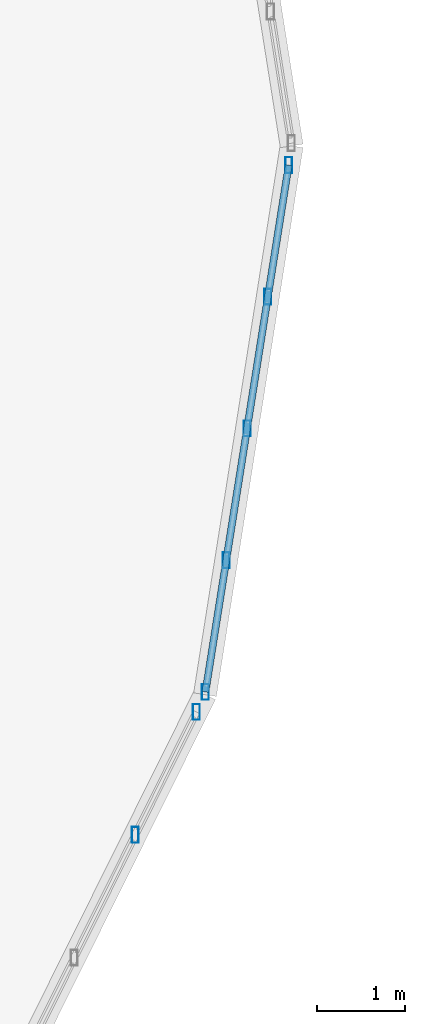
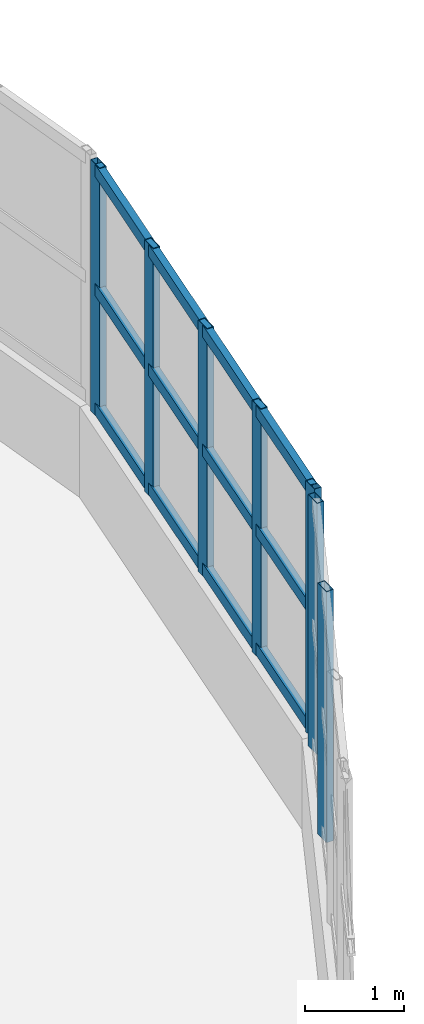
# One storey, part 23 of 50: 10 members, 2 elements without a shape of their own.
"""IFC4 building model written with IfcOpenShell, lengths in metres."""

import ifcopenshell
import ifcopenshell.guid

model = None  # the IFC model being written
_history = None  # IfcOwnerHistory: only IFC2X3 demands one
_inside = {}  # id of a spatial element -> (the spatial element, [elements in it])
_under = {}  # id of a project, library or spatial element -> (it, [spatial elements below it])
_declared = {}  # id of a project -> (the project, [libraries it declares])
_typed = {}  # id of a type object -> (the type object, [elements of that type])
_made_of = {}  # id of a material, layer set ... -> (it, [elements and type objects made of it])


def new_model(schema):
    """Start an empty IFC model of exactly this schema.

    Asked for "IFC4X3", IfcOpenShell would pick the latest addendum, in which some entities
    have other attributes; the version numbers below select the first issue.
    IFC2X3 requires an IfcOwnerHistory on every rooted entity: one is made here for all.
    """
    global model, _history
    if schema == "IFC4X3":
        model = ifcopenshell.file(schema_version=(4, 3, 0, 0))
    else:
        model = ifcopenshell.file(schema=schema)
    _inside.clear()
    _under.clear()
    _declared.clear()
    _typed.clear()
    _made_of.clear()
    _history = None
    if model.schema == "IFC2X3":
        org = make("IfcOrganization", Name="unknown")
        user = make(
            "IfcPersonAndOrganization",
            ThePerson=make("IfcPerson", FamilyName="unknown"),
            TheOrganization=org,
        )
        app = make(
            "IfcApplication",
            ApplicationDeveloper=org,
            Version="unknown",
            ApplicationFullName="unknown",
            ApplicationIdentifier="unknown",
        )
        _history = make(
            "IfcOwnerHistory",
            OwningUser=user,
            OwningApplication=app,
            ChangeAction="ADDED",
            CreationDate=0,
        )
    return model


def make(cls, **values):
    """One entity of the class cls with the attributes given. An attribute that is None is left unset."""
    return model.create_entity(
        cls, **{name: value for name, value in values.items() if value is not None}
    )


def rooted(cls, **values):
    """An entity with a GlobalId (a new one), such as an element, a storey or a relation."""
    return make(cls, GlobalId=ifcopenshell.guid.new(), OwnerHistory=_history, **values)


def si_unit(unit_type, name, prefix=None):
    """IfcSIUnit, for example si_unit("LENGTHUNIT", "METRE", prefix="MILLI")."""
    return make("IfcSIUnit", UnitType=unit_type, Prefix=prefix, Name=name)


def assignment(units):
    """IfcUnitAssignment: the units of a project."""
    return None if units is None else make("IfcUnitAssignment", Units=units)


def point(xyz):
    """IfcCartesianPoint."""
    return None if xyz is None else make("IfcCartesianPoint", Coordinates=xyz)


def direction(xyz):
    """IfcDirection."""
    return None if xyz is None else make("IfcDirection", DirectionRatios=xyz)


def frame(location, z_axis=None, x_axis=None):
    """IfcAxis2Placement3D, a coordinate frame: its origin and axes. An axis left out is left unset."""
    return make(
        "IfcAxis2Placement3D",
        Location=point(location),
        Axis=direction(z_axis),
        RefDirection=direction(x_axis),
    )


def frame_2d(location, x_axis=None):
    """IfcAxis2Placement2D, a coordinate frame in the plane: its origin and x axis."""
    return make(
        "IfcAxis2Placement2D", Location=point(location), RefDirection=direction(x_axis)
    )


def origin():
    """The frame at (0, 0, 0) with its axes left unset."""
    return frame((0.0, 0.0, 0.0))


def origin_2d():
    """The frame at (0, 0) in the plane with its x axis left unset."""
    return frame_2d((0.0, 0.0))


def place(relative_to, where):
    """IfcLocalPlacement: puts the frame where relative to a parent placement (None: the world)."""
    return make(
        "IfcLocalPlacement", PlacementRelTo=relative_to, RelativePlacement=where
    )


def context(
    kind, dimensions, precision=None, world=None, true_north=None, identifier=None
):
    """IfcGeometricRepresentationContext, for example the 3D "Model" context."""
    return make(
        "IfcGeometricRepresentationContext",
        ContextIdentifier=identifier,
        ContextType=kind,
        CoordinateSpaceDimension=dimensions,
        Precision=precision,
        WorldCoordinateSystem=world,
        TrueNorth=true_north,
    )


def subcontext(parent, identifier, kind, view, scale=None):
    """IfcGeometricRepresentationSubContext, for example "Body" below "Model"."""
    return make(
        "IfcGeometricRepresentationSubContext",
        ContextIdentifier=identifier,
        ContextType=kind,
        ParentContext=parent,
        TargetScale=scale,
        TargetView=view,
    )


def project(units=None, contexts=None):
    """IfcProject with its units and contexts."""
    return rooted(
        "IfcProject",
        Name="project",
        RepresentationContexts=contexts,
        UnitsInContext=assignment(units),
    )


def spatial(cls, under=None, at=None, **own):
    """A site, building, storey or space (cls), placed at a placement, below another one or the project."""
    s = rooted(cls, ObjectPlacement=at, **own)
    if under is not None:
        _under.setdefault(under.id(), (under, []))[1].append(s)
    return s


def profile(cls, at=None, kind="AREA", **sizes):
    """A parametric profile (cls). Its sizes go by their IFC names, for example OverallWidth=200.0."""
    return make(cls, ProfileType=kind, Position=at, **sizes)


def hollow_rectangle(**sizes):
    """IfcRectangleHollowProfileDef."""
    return profile("IfcRectangleHollowProfileDef", **sizes)


def extrude(swept, where, along, depth):
    """IfcExtrudedAreaSolid: the profile swept, set in the frame where, extruded along a direction by depth."""
    return make(
        "IfcExtrudedAreaSolid",
        SweptArea=swept,
        Position=where,
        ExtrudedDirection=direction(along),
        Depth=depth,
    )


def shape(context_of_items, identifier, shape_type, items):
    """IfcShapeRepresentation: the items that make up one representation, for example the "Body"."""
    return make(
        "IfcShapeRepresentation",
        ContextOfItems=context_of_items,
        RepresentationIdentifier=identifier,
        RepresentationType=shape_type,
        Items=items,
    )


def material(Name=None, Category=None):
    """IfcMaterial."""
    return make("IfcMaterial", Name=Name, Category=Category)


def material_profile(
    of_material, cross_section, Name=None, Category=None, Priority=None
):
    """IfcMaterialProfile: a cross section and its material."""
    return make(
        "IfcMaterialProfile",
        Name=Name,
        Material=of_material,
        Profile=cross_section,
        Priority=Priority,
        Category=Category,
    )


def profile_set(profiles, Name=None, composite=None):
    """IfcMaterialProfileSet."""
    return make(
        "IfcMaterialProfileSet",
        Name=Name,
        MaterialProfiles=profiles,
        CompositeProfile=composite,
    )


def made_of(thing, what):
    """Note that an element or type object is made of a material, layer set ...; save() writes the relation."""
    if what is not None:
        _made_of.setdefault(what.id(), (what, []))[1].append(thing)
    return thing


def type_object(cls, material=None, **own):
    """A type object (cls), such as IfcWallType, which elements share."""
    return made_of(rooted(cls, **own), material)


def element(
    cls,
    number,
    at=None,
    inside=None,
    cuts=None,
    type_object=None,
    material=None,
    context=None,
    identifier="Body",
    shape_type=None,
    held_by="IfcProductDefinitionShape",
    body=None,
    shapes=None,
    **own,
):
    """One element of the class cls, such as IfcWall. Its Tag is "e" and its number.

    at: its placement. inside: the storey or other place that contains it. cuts: it is an
    opening in that element (IfcRelVoidsElement). A single representation is given by context,
    identifier, shape_type and body (its items); several are given by shapes. held_by: the class
    of the entity that holds the representations. save() writes the other relations.
    """
    e = rooted(cls, Tag="e%d" % number, ObjectPlacement=at, **own)
    if body is not None:
        shapes = [shape(context, identifier, shape_type, body)]
    if shapes is not None:
        e.Representation = make(held_by, Representations=shapes)
    if inside is not None:
        _inside.setdefault(inside.id(), (inside, []))[1].append(e)
    if cuts is not None:
        rooted(
            "IfcRelVoidsElement", RelatingBuildingElement=cuts, RelatedOpeningElement=e
        )
    if type_object is not None:
        _typed.setdefault(type_object.id(), (type_object, []))[1].append(e)
    return made_of(e, material)


def aggregate(whole, parts):
    """IfcRelAggregates: a whole, such as a stair, and the parts it consists of."""
    return rooted("IfcRelAggregates", RelatingObject=whole, RelatedObjects=parts)


def save(model, path):
    """Write the relations noted so far, then the file.

    IfcRelAggregates (storeys below a building ...), IfcRelContainedInSpatialStructure (elements
    in a storey), IfcRelDefinesByType, IfcRelAssociatesMaterial and IfcRelDeclares: one each for
    every whole, place, type object, material and project.
    """
    for whole, parts in _under.values():
        aggregate(whole, parts)
    for where, things in _inside.values():
        rooted(
            "IfcRelContainedInSpatialStructure",
            RelatedElements=things,
            RelatingStructure=where,
        )
    for kind, things in _typed.values():
        rooted("IfcRelDefinesByType", RelatedObjects=things, RelatingType=kind)
    for what, things in _made_of.values():
        rooted("IfcRelAssociatesMaterial", RelatedObjects=things, RelatingMaterial=what)
    for by, libraries in _declared.values():
        rooted("IfcRelDeclares", RelatingContext=by, RelatedDefinitions=libraries)
    model.write(path)


model = new_model("IFC4")

# Units and contexts
model_context = context("Model", 3, precision=1e-05, world=origin(), true_north=direction((0.0, 1.0)))
body_context = subcontext(model_context, "Body", "Model", "MODEL_VIEW")
ifc_project = project(units=[si_unit("LENGTHUNIT", "METRE"), si_unit("AREAUNIT", "SQUARE_METRE"), si_unit("VOLUMEUNIT", "CUBIC_METRE"), si_unit("PLANEANGLEUNIT", "RADIAN"), si_unit("MASSUNIT", "GRAM", prefix="KILO")], contexts=[model_context])

# Site, building, storey
site_placement = place(None, origin())
site = spatial("IfcSite", under=ifc_project, at=site_placement, CompositionType="ELEMENT")
building_placement = place(site_placement, origin())
building = spatial("IfcBuilding", under=site, at=building_placement, Name="Solvento Point Concert Hall", CompositionType="ELEMENT")
storey_placement = place(building_placement, frame((0.0, 0.0, 15.0)))
storey = spatial("IfcBuildingStorey", under=building, at=storey_placement, Name="L03", CompositionType="ELEMENT", Elevation=15.0)

# Curtain wall, members
ifc_material_1 = material(Name="Anodized Bronze Aluminium", Category="aluminium")
curtain_wall_type = type_object("IfcCurtainWallType", Name="CurtainWall_RingRibbon_L03_04", PredefinedType="USERDEFINED", material=ifc_material_1)
curtain_wall_1_placement = place(storey_placement, origin())
curtain_wall_1 = element("IfcCurtainWall", 1, at=curtain_wall_1_placement, inside=storey, type_object=curtain_wall_type, Name="Unitised curtain wall CW-31 UCW-L03-201", ObjectType="UNITISED CURTAIN WALL", PredefinedType="USERDEFINED")
ifc_material_2 = material(Name="Anodized Bronze Aluminium", Category="aluminium")
ifc_material_profile_1 = material_profile(ifc_material_2, hollow_rectangle(XDim=0.080078125, YDim=0.179931640625, WallThickness=0.00390625, at=origin_2d()), Name="CW-MUL-80X180")
ifc_profile_set_1 = profile_set([ifc_material_profile_1], Name="Anodized Bronze Aluminium")
member_type_1 = type_object("IfcMemberType", Name="Mullion_80x180", PredefinedType="MULLION", material=ifc_profile_set_1)
member_1_placement = place(storey_placement, frame((89.9658203125, 31.8828125, 1.1201171875), z_axis=(0.0, 0.0, 1.0), x_axis=(1.0, 0.0, 0.0)))
member_1 = element("IfcMember", 2, at=member_1_placement, type_object=member_type_1, Name="Curtain wall mullion ML-01", PredefinedType="MULLION", context=body_context, shape_type="SweptSolid", body=[
    extrude(hollow_rectangle(XDim=0.080078125, YDim=0.179931640625, WallThickness=0.00390625, at=origin_2d()), origin(), (0.0, 0.0, 1.0), 3.08984375),
])
member_2_placement = place(storey_placement, frame((89.72998046875, 30.3916015625, 1.1201171875), z_axis=(0.0, 0.0, 1.0), x_axis=(1.0, 0.0, 0.0)))
member_2 = element("IfcMember", 3, at=member_2_placement, type_object=member_type_1, Name="Curtain wall mullion ML-01", PredefinedType="MULLION", context=body_context, shape_type="SweptSolid", body=[
    extrude(hollow_rectangle(XDim=0.080078125, YDim=0.179931640625, WallThickness=0.00390625, at=origin_2d()), origin(), (0.0, 0.0, 1.0), 3.08984375),
])
member_3_placement = place(storey_placement, frame((89.494384765625, 28.900390625, 1.1201171875), z_axis=(0.0, 0.0, 1.0), x_axis=(1.0, 0.0, 0.0)))
member_3 = element("IfcMember", 4, at=member_3_placement, type_object=member_type_1, Name="Curtain wall mullion ML-01", PredefinedType="MULLION", context=body_context, shape_type="SweptSolid", body=[
    extrude(hollow_rectangle(XDim=0.080078125, YDim=0.179931640625, WallThickness=0.00390625, at=origin_2d()), origin(), (0.0, 0.0, 1.0), 3.08984375),
])
member_4_placement = place(storey_placement, frame((89.259033203125, 27.4091796875, 1.1201171875), z_axis=(0.0, 0.0, 1.0), x_axis=(1.0, 0.0, 0.0)))
member_4 = element("IfcMember", 5, at=member_4_placement, type_object=member_type_1, Name="Curtain wall mullion ML-01", PredefinedType="MULLION", context=body_context, shape_type="SweptSolid", body=[
    extrude(hollow_rectangle(XDim=0.080078125, YDim=0.179931640625, WallThickness=0.00390625, at=origin_2d()), origin(), (0.0, 0.0, 1.0), 3.08984375),
])
member_5_placement = place(storey_placement, frame((89.0234375, 25.91796875, 1.1201171875), z_axis=(0.0, 0.0, 1.0), x_axis=(1.0, 0.0, 0.0)))
member_5 = element("IfcMember", 6, at=member_5_placement, type_object=member_type_1, Name="Curtain wall mullion ML-01", PredefinedType="MULLION", context=body_context, shape_type="SweptSolid", body=[
    extrude(hollow_rectangle(XDim=0.080078125, YDim=0.179931640625, WallThickness=0.00390625, at=origin_2d()), origin(), (0.0, 0.0, 1.0), 3.08984375),
])

curtain_wall_2_placement = place(storey_placement, origin())
curtain_wall_2 = element("IfcCurtainWall", 7, at=curtain_wall_2_placement, inside=storey, type_object=curtain_wall_type, Name="Unitised curtain wall CW-31 UCW-L03-202", ObjectType="UNITISED CURTAIN WALL", PredefinedType="USERDEFINED")
member_6_placement = place(storey_placement, frame((88.9208984375, 25.69140625, 1.1201171875), z_axis=(0.0, 0.0, 1.0), x_axis=(1.0, 0.0, 0.0)))
member_6 = element("IfcMember", 8, at=member_6_placement, type_object=member_type_1, Name="Curtain wall mullion ML-01", PredefinedType="MULLION", context=body_context, shape_type="SweptSolid", body=[
    extrude(hollow_rectangle(XDim=0.080078125, YDim=0.179931640625, WallThickness=0.00390625, at=origin_2d()), origin(), (0.0, 0.0, 1.0), 3.08984375),
])
member_7_placement = place(storey_placement, frame((88.229248046875, 24.30029296875, 1.1201171875), z_axis=(0.0, 0.0, 1.0), x_axis=(1.0, 0.0, 0.0)))
member_7 = element("IfcMember", 9, at=member_7_placement, type_object=member_type_1, Name="Curtain wall mullion ML-01", PredefinedType="MULLION", context=body_context, shape_type="SweptSolid", body=[
    extrude(hollow_rectangle(XDim=0.080078125, YDim=0.179931640625, WallThickness=0.00390625, at=origin_2d()), origin(), (0.0, 0.0, 1.0), 3.08984375),
])
aggregate(curtain_wall_2, [member_6, member_7])

# Member
ifc_material_3 = material(Name="Anodized Bronze Aluminium", Category="aluminium")
ifc_material_profile_2 = material_profile(ifc_material_3, hollow_rectangle(XDim=0.080078125, YDim=0.14990234375, WallThickness=0.00390625, at=origin_2d()), Name="CW-TRN-80X150")
ifc_profile_set_2 = profile_set([ifc_material_profile_2], Name="Anodized Bronze Aluminium")
member_type_2 = type_object("IfcMemberType", Name="Transom_80x150", PredefinedType="USERDEFINED", material=ifc_profile_set_2)
member_8_placement = place(storey_placement, frame((89.9658203125, 31.8828125, 1.199951171875), z_axis=(-0.15605391931, -0.987748537973, 0.0), x_axis=(0.987748537973, -0.15605391931, 0.0)))
member_8 = element("IfcMember", 10, at=member_8_placement, type_object=member_type_2, Name="Curtain wall transom TR-01", ObjectType="TRANSOM", PredefinedType="USERDEFINED", context=body_context, shape_type="SweptSolid", body=[
    extrude(hollow_rectangle(XDim=0.080078125, YDim=0.14990234375, WallThickness=0.00390625, at=origin_2d()), origin(), (0.0, 0.0, 1.0), 6.038818359375),
])

member_9_placement = place(storey_placement, frame((89.9658203125, 31.8828125, 2.6650390625), z_axis=(-0.15605391931, -0.987748537973, 0.0), x_axis=(0.987748537973, -0.15605391931, 0.0)))
member_9 = element("IfcMember", 11, at=member_9_placement, type_object=member_type_2, Name="Curtain wall transom TR-01", ObjectType="TRANSOM", PredefinedType="USERDEFINED", context=body_context, shape_type="SweptSolid", body=[
    extrude(hollow_rectangle(XDim=0.080078125, YDim=0.14990234375, WallThickness=0.00390625, at=origin_2d()), origin(), (0.0, 0.0, 1.0), 6.038818359375),
])

member_10_placement = place(storey_placement, frame((89.9658203125, 31.8828125, 4.1298828125), z_axis=(-0.15605391931, -0.987748537973, 0.0), x_axis=(0.987748537973, -0.15605391931, 0.0)))
member_10 = element("IfcMember", 12, at=member_10_placement, type_object=member_type_2, Name="Curtain wall transom TR-01", ObjectType="TRANSOM", PredefinedType="USERDEFINED", context=body_context, shape_type="SweptSolid", body=[
    extrude(hollow_rectangle(XDim=0.080078125, YDim=0.14990234375, WallThickness=0.00390625, at=origin_2d()), origin(), (0.0, 0.0, 1.0), 6.038818359375),
])

aggregate(curtain_wall_1, [member_1, member_2, member_3, member_4, member_5, member_8, member_9, member_10])

save(model, "model.ifc")
